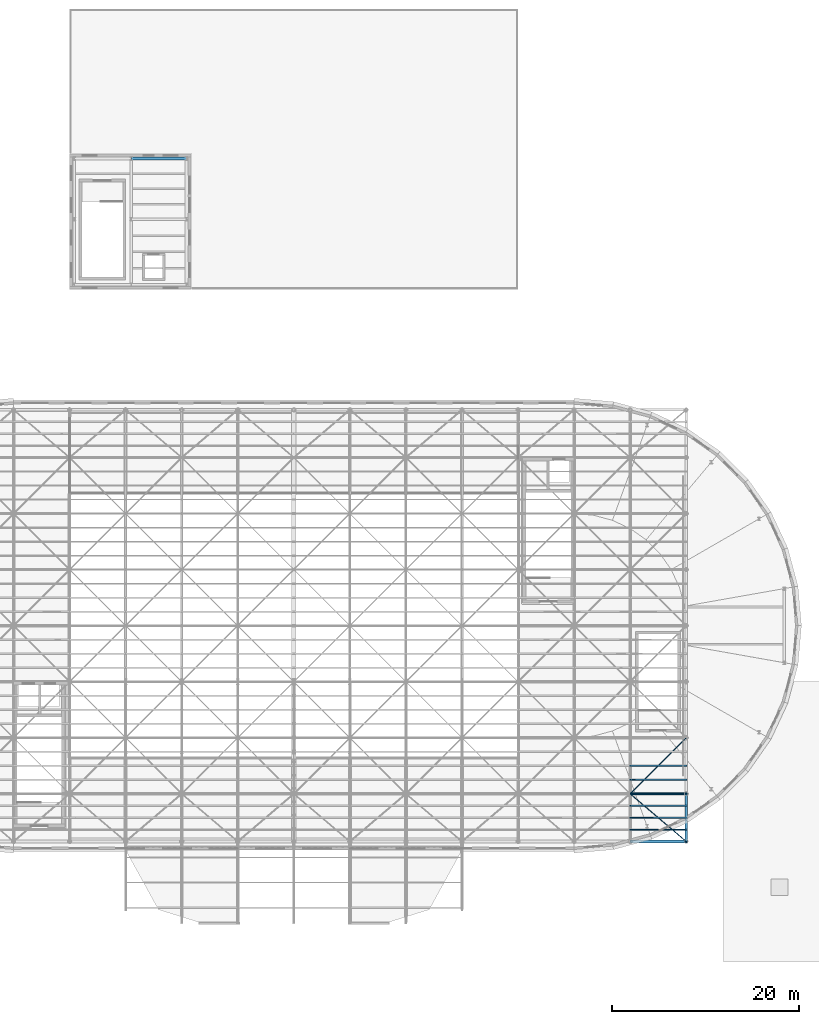
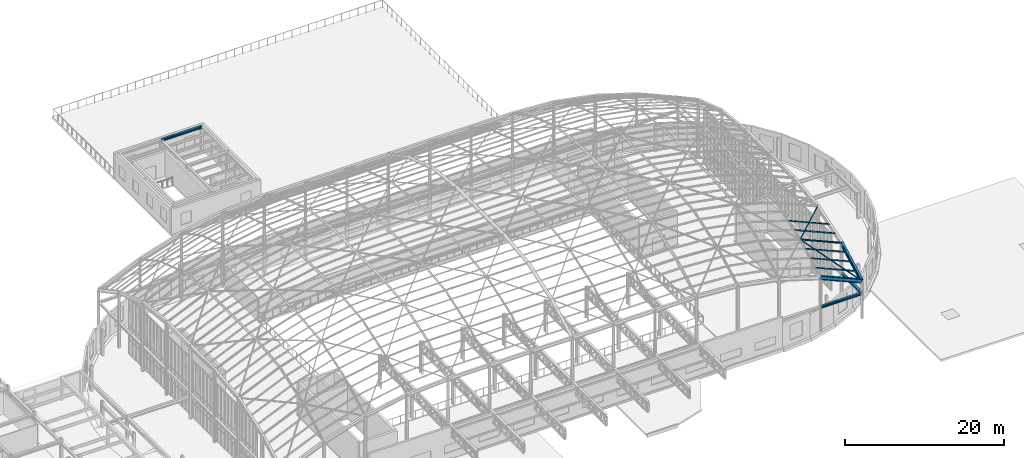
# One storey, part 38 of 75: 8 members, 5 beams.
"""IFC4 building model written with IfcOpenShell, lengths in metres."""

from ifc_helpers import new_model, si_unit, direction, frame, origin, origin_2d, place, context, subcontext, project, spatial, hollow_rectangle, hollow_circle, i_section, extrude, material, material_profile, profile_set, type_object, element, save


model = new_model("IFC4")

# Units and contexts
model_context = context("Model", 3, precision=1e-05, world=origin(), true_north=direction((0.0, 1.0)))
body_context = subcontext(model_context, "Body", "Model", "MODEL_VIEW")
ifc_project = project(units=[si_unit("LENGTHUNIT", "METRE"), si_unit("AREAUNIT", "SQUARE_METRE"), si_unit("VOLUMEUNIT", "CUBIC_METRE"), si_unit("PLANEANGLEUNIT", "RADIAN"), si_unit("MASSUNIT", "GRAM", prefix="KILO")], contexts=[model_context])

# Site, building, storey
site_placement = place(None, origin())
site = spatial("IfcSite", under=ifc_project, at=site_placement, CompositionType="ELEMENT")
building_placement = place(site_placement, origin())
building = spatial("IfcBuilding", under=site, at=building_placement, Name="Kolvaren Corner Interchange", CompositionType="ELEMENT")
storey_placement = place(building_placement, frame((0.0, 0.0, 10.5)))
storey = spatial("IfcBuildingStorey", under=building, at=storey_placement, Name="L03", CompositionType="ELEMENT", Elevation=10.5)

# Beams
ifc_material_1 = material(Name="Steel S355", Category="steel")
ifc_material_profile_1 = material_profile(ifc_material_1, i_section(OverallWidth=0.300048828125, OverallDepth=0.31005859375, WebThickness=0.009033203125, FlangeThickness=0.015380859375, FilletRadius=0.027099609375, at=origin_2d()), Name="HEA 320")
ifc_profile_set_1 = profile_set([ifc_material_profile_1], Name="Steel S355")
beam_type_1 = type_object("IfcBeamType", Name="BM-HEA320", PredefinedType="BEAM", material=ifc_profile_set_1)
beam_1_placement = place(storey_placement, frame((132.0, 24.89990234375, 3.794921875), z_axis=(0.0, 1.0, 0.0), x_axis=(-1.0, 0.0, 0.0)))
element("IfcBeam", 1, at=beam_1_placement, inside=storey, type_object=beam_type_1, Name="Storey L03 Grid Y Primary Girder 0933", PredefinedType="BEAM", context=body_context, shape_type="SweptSolid", body=[
    extrude(i_section(OverallWidth=0.300048828125, OverallDepth=0.31005859375, WebThickness=0.009033203125, FlangeThickness=0.015380859375, FilletRadius=0.027099609375, at=origin_2d()), origin(), (0.0, 0.0, 1.0), 5.10009765625),
])
ifc_material_2 = material(Name="Steel S355", Category="steel")
ifc_material_profile_2 = material_profile(ifc_material_2, i_section(OverallWidth=0.300048828125, OverallDepth=0.35009765625, WebThickness=0.010009765625, FlangeThickness=0.017578125, FilletRadius=0.027099609375, at=origin_2d()), Name="HEA 360")
ifc_profile_set_2 = profile_set([ifc_material_profile_2], Name="Steel S355")
beam_type_2 = type_object("IfcBeamType", Name="BM-HEA360", PredefinedType="BEAM", material=ifc_profile_set_2)
beam_2_placement = place(storey_placement, frame((126.0, 24.89990234375, 3.77490234375), z_axis=(1.0, 0.0, 0.0), x_axis=(0.0, 1.0, 0.0)))
element("IfcBeam", 2, at=beam_2_placement, inside=storey, type_object=beam_type_2, Name="Storey L03 Grid X Primary Girder 0842", PredefinedType="BEAM", context=body_context, shape_type="SweptSolid", body=[
    extrude(i_section(OverallWidth=0.300048828125, OverallDepth=0.35009765625, WebThickness=0.010009765625, FlangeThickness=0.017578125, FilletRadius=0.027099609375, at=origin_2d()), origin(), (0.0, 0.0, 1.0), 6.0),
])
beam_3_placement = place(storey_placement, frame((72.60009765625, 98.0, 3.72509765625), z_axis=(1.0, 0.0, 0.0), x_axis=(0.0, 1.0, 0.0)))
element("IfcBeam", 3, at=beam_3_placement, inside=storey, type_object=beam_type_2, Name="Storey L03 Grid X Primary Girder 0973", PredefinedType="BEAM", context=body_context, shape_type="SweptSolid", body=[
    extrude(i_section(OverallWidth=0.300048828125, OverallDepth=0.35009765625, WebThickness=0.010009765625, FlangeThickness=0.017578125, FilletRadius=0.027099609375, at=origin_2d()), origin(), (0.0, 0.0, 1.0), 5.89990234375),
])
ifc_material_3 = material(Name="Steel S355", Category="steel")
ifc_material_profile_3 = material_profile(ifc_material_3, i_section(OverallWidth=0.300048828125, OverallDepth=0.5400390625, WebThickness=0.012451171875, FlangeThickness=0.02392578125, FilletRadius=0.027099609375, at=origin_2d()), Name="HEA 550")
ifc_profile_set_3 = profile_set([ifc_material_profile_3], Name="Steel S355")
beam_type_3 = type_object("IfcBeamType", Name="BM-HEA550", PredefinedType="BEAM", material=ifc_profile_set_3)
beam_4_placement = place(storey_placement, frame((126.0, 24.89990234375, 8.2900390625), z_axis=(0.916157334902, 0.0, -0.40081883402), x_axis=(0.0, 1.0, 0.0)))
element("IfcBeam", 4, at=beam_4_placement, inside=storey, type_object=beam_type_3, Name="Concourse Translational Gridshell Eaves Ring Beam 014", PredefinedType="BEAM", context=body_context, shape_type="SweptSolid", body=[
    extrude(i_section(OverallWidth=0.300048828125, OverallDepth=0.5400390625, WebThickness=0.012451171875, FlangeThickness=0.02392578125, FilletRadius=0.027099609375, at=origin_2d()), origin(), (0.0, 0.0, 1.0), 6.549072265625),
])
beam_5_placement = place(storey_placement, frame((132.0, 24.89990234375, 5.6650390625), z_axis=(0.0, 0.880338454691, 0.474346081666), x_axis=(-1.0, 0.0, 0.0)))
element("IfcBeam", 5, at=beam_5_placement, inside=storey, type_object=beam_type_3, Name="Concourse Translational Gridshell Eaves Ring Beam 037", PredefinedType="BEAM", context=body_context, shape_type="SweptSolid", body=[
    extrude(i_section(OverallWidth=0.300048828125, OverallDepth=0.5400390625, WebThickness=0.012451171875, FlangeThickness=0.02392578125, FilletRadius=0.027099609375, at=origin_2d()), origin(), (0.0, 0.0, 1.0), 5.79345703125),
])

# Members
ifc_material_4 = material(Name="Steel S355", Category="steel")
ifc_material_profile_4 = material_profile(ifc_material_4, hollow_circle(Radius=0.05078125, WallThickness=0.00634765625, at=origin_2d()), Name="CHS 101.6x6.3")
ifc_profile_set_4 = profile_set([ifc_material_profile_4], Name="Steel S355")
member_type_1 = type_object("IfcMemberType", Name="MEM-BR-CHS102", PredefinedType="BRACE", material=ifc_profile_set_4)
member_1_placement = place(storey_placement, frame((126.0, 30.0, 11.0380859375), z_axis=(0.629383841285, -0.534986508969, -0.563618146932), x_axis=(0.647655619635, 0.761933198092, 0.0)))
element("IfcMember", 6, at=member_1_placement, inside=storey, type_object=member_type_1, Name="Concourse Translational Gridshell Nodal Diagonal Brace 0105", PredefinedType="BRACE", context=body_context, shape_type="SweptSolid", body=[
    extrude(hollow_circle(Radius=0.05078125, WallThickness=0.00634765625, at=origin_2d()), origin(), (0.0, 0.0, 1.0), 9.533203125),
])
ifc_material_5 = material(Name="Steel S355", Category="steel")
ifc_material_profile_5 = material_profile(ifc_material_5, hollow_circle(Radius=0.06982421875, WallThickness=0.008056640625, at=origin_2d()), Name="CHS 139.7x8.0")
ifc_profile_set_5 = profile_set([ifc_material_profile_5], Name="Steel S355")
member_type_2 = type_object("IfcMemberType", Name="MEM-BR-CHS140", PredefinedType="BRACE", material=ifc_profile_set_5)
member_2_placement = place(storey_placement, frame((126.0, 30.0, 11.0380859375), z_axis=(0.705196401132, 0.705196401132, -0.073457958451), x_axis=(-0.707106781187, 0.707106781187, 0.0)))
element("IfcMember", 7, at=member_2_placement, inside=storey, type_object=member_type_2, Name="Concourse Translational Gridshell Nodal Diagonal Brace 0106", PredefinedType="BRACE", context=body_context, shape_type="SweptSolid", body=[
    extrude(hollow_circle(Radius=0.06982421875, WallThickness=0.008056640625, at=origin_2d()), origin(), (0.0, 0.0, 1.0), 8.50830078125),
])
ifc_material_6 = material(Name="Steel S355", Category="steel")
ifc_material_profile_6 = material_profile(ifc_material_6, hollow_circle(Radius=0.122314453125, WallThickness=0.012451171875, at=origin_2d()), Name="CHS 244.5x12.5")
ifc_profile_set_6 = profile_set([ifc_material_profile_6], Name="Steel S355")
member_type_3 = type_object("IfcMemberType", Name="MEM-CH-CHS245", PredefinedType="CHORD", material=ifc_profile_set_6)
member_3_placement = place(storey_placement, frame((126.0, 30.0, 11.0380859375), z_axis=(0.916157334902, 0.0, -0.40081883402), x_axis=(0.0, 1.0, 0.0)))
element("IfcMember", 8, at=member_3_placement, inside=storey, type_object=member_type_3, Name="Concourse Translational Gridshell Longitudinal Arch Chord 0118", PredefinedType="CHORD", context=body_context, shape_type="SweptSolid", body=[
    extrude(hollow_circle(Radius=0.122314453125, WallThickness=0.012451171875, at=origin_2d()), origin(), (0.0, 0.0, 1.0), 6.549072265625),
])
ifc_material_7 = material(Name="Steel S355", Category="steel")
ifc_material_profile_7 = material_profile(ifc_material_7, hollow_rectangle(XDim=0.10009765625, YDim=0.179931640625, WallThickness=0.008056640625, InnerFilletRadius=0.008056640625, OuterFilletRadius=0.01611328125, at=origin_2d()), Name="RHS 180x100x8.0")
ifc_profile_set_7 = profile_set([ifc_material_profile_7], Name="Steel S355")
member_type_4 = type_object("IfcMemberType", Name="MEM-PR-RHS180", PredefinedType="PURLIN", material=ifc_profile_set_7)
for number, where, z_axis, x_axis, name in (
    (9, (126.0, 27.449951171875, 9.7119140625), (0.916157334902, 0.0, -0.40081883402), (0.0, 1.0, 0.0), "Concourse Translational Gridshell Glazing Purlin 0105 Row 2"),
    (10, (126.0, 33.0, 12.0859375), (0.916157334902, 0.0, -0.40081883402), (0.0, 1.0, 0.0), "Concourse Translational Gridshell Glazing Purlin 0106 Row 2"),
):
    element("IfcMember", number, at=place(storey_placement, frame(where, z_axis=z_axis, x_axis=x_axis)), inside=storey, type_object=member_type_4, Name=name, PredefinedType="PURLIN", context=body_context, shape_type="SweptSolid", body=[
        extrude(hollow_rectangle(XDim=0.10009765625, YDim=0.179931640625, WallThickness=0.008056640625, InnerFilletRadius=0.008056640625, OuterFilletRadius=0.01611328125, at=origin_2d()), origin(), (0.0, 0.0, 1.0), 6.549072265625),
    ])
ifc_material_8 = material(Name="Steel S355", Category="steel")
ifc_material_profile_8 = material_profile(ifc_material_8, hollow_rectangle(XDim=0.10009765625, YDim=0.199951171875, WallThickness=0.008056640625, InnerFilletRadius=0.008056640625, OuterFilletRadius=0.01611328125, at=origin_2d()), Name="RHS 200x100x8.0")
ifc_profile_set_8 = profile_set([ifc_material_profile_8], Name="Steel S355")
member_type_5 = type_object("IfcMemberType", Name="MEM-PR-RHS200", PredefinedType="PURLIN", material=ifc_profile_set_8)
for number, where, z_axis, x_axis, name in (
    (11, (126.0, 26.175048828125, 9.014892578125), (0.916157334902, 0.0, -0.40081883402), (0.0, 1.0, 0.0), "Concourse Translational Gridshell Glazing Purlin 0105 Row 1"),
    (12, (126.0, 28.72509765625, 10.388916015625), (0.916157334902, 0.0, -0.40081883402), (0.0, 1.0, 0.0), "Concourse Translational Gridshell Glazing Purlin 0105 Row 3"),
    (13, (126.0, 31.5, 11.575927734375), (0.916157334902, 0.0, -0.40081883402), (0.0, 1.0, 0.0), "Concourse Translational Gridshell Glazing Purlin 0106 Row 1"),
):
    element("IfcMember", number, at=place(storey_placement, frame(where, z_axis=z_axis, x_axis=x_axis)), inside=storey, type_object=member_type_5, Name=name, PredefinedType="PURLIN", context=body_context, shape_type="SweptSolid", body=[
        extrude(hollow_rectangle(XDim=0.10009765625, YDim=0.199951171875, WallThickness=0.008056640625, InnerFilletRadius=0.008056640625, OuterFilletRadius=0.01611328125, at=origin_2d()), origin(), (0.0, 0.0, 1.0), 6.549072265625),
    ])

save(model, "model.ifc")
